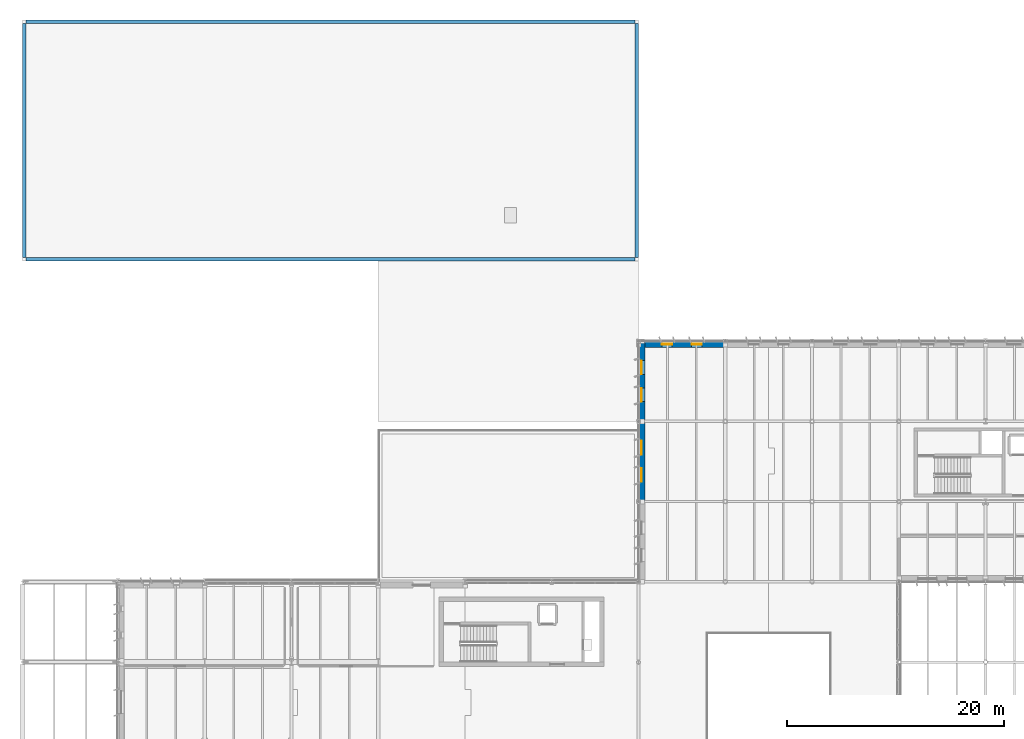
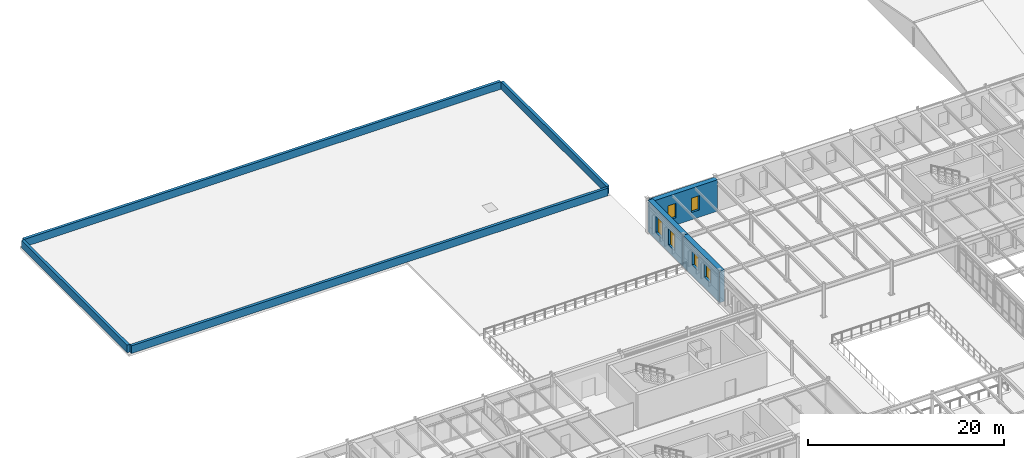
# One storey, part 43 of 63: 7 walls, 6 windows, 6 openings.
"""IFC4 building model written with IfcOpenShell, lengths in metres."""

from ifc_helpers import new_model, si_unit, direction, frame, frame_2d, origin, place, context, subcontext, project, spatial, rectangle, extrude, material, layer, layer_set, type_object, element, fill, save


model = new_model("IFC4")

# Units and contexts
model_context = context("Model", 3, precision=1e-05, world=origin(), true_north=direction((0.0, 1.0)))
body_context = subcontext(model_context, "Body", "Model", "MODEL_VIEW")
ifc_project = project(units=[si_unit("LENGTHUNIT", "METRE"), si_unit("AREAUNIT", "SQUARE_METRE"), si_unit("VOLUMEUNIT", "CUBIC_METRE"), si_unit("PLANEANGLEUNIT", "RADIAN"), si_unit("MASSUNIT", "GRAM", prefix="KILO")], contexts=[model_context])

# Site, building, storey
site_placement = place(None, origin())
site = spatial("IfcSite", under=ifc_project, at=site_placement, CompositionType="ELEMENT")
building_placement = place(site_placement, origin())
building = spatial("IfcBuilding", under=site, at=building_placement, Name="Valkorina Park Police Headquarters", CompositionType="ELEMENT")
storey_placement = place(building_placement, frame((0.0, 0.0, 9.89990234375)))
storey = spatial("IfcBuildingStorey", under=building, at=storey_placement, Name="L03", CompositionType="ELEMENT", Elevation=9.89990234375)

# Wall, openings, windows
ifc_material_1 = material(Name="Concrete C35/45", Category="concrete")
ifc_layer_1 = layer(ifc_material_1, 0.580078125)
ifc_layer_set_1 = layer_set([ifc_layer_1], Name="Concrete C35/45")
wall_type_1 = type_object("IfcWallType", Name="WL-EXT-BOARD-580", PredefinedType="STANDARD", material=ifc_layer_set_1)
wall_1_placement = place(storey_placement, frame((57.090087890625, 66.60009765625, 0.0), z_axis=(0.0, 0.0, 1.0), x_axis=(0.0, 1.0, 0.0)))
wall_1 = element("IfcWall", 1, at=wall_1_placement, inside=storey, type_object=wall_type_1, Name="L03 Architectural Concrete Exterior Wall 0189", PredefinedType="STANDARD", context=body_context, shape_type="SweptSolid", body=[
    extrude(rectangle(XDim=7.39990234375, YDim=0.580078125, at=frame_2d((3.699951171875, 0.0))), origin(), (0.0, 0.0, 1.0), 3.920166015625),
])
opening_1_placement = place(wall_1_placement, frame((1.810546875, 0.0, 1.35009765625)))
opening_1 = element("IfcOpeningElement", 2, at=opening_1_placement, cuts=wall_1, Name="Opening WN-21", PredefinedType="OPENING", context=body_context, shape_type="SweptSolid", body=[
    extrude(rectangle(XDim=1.25, YDim=1.64990234375, at=frame_2d((0.625, 0.824951171875))), frame((0.0, 0.300048828125, 0.0), z_axis=(0.0, -1.0, 0.0), x_axis=(1.0, 0.0, 0.0)), (0.0, 0.0, 1.0), 0.60009765625),
])
opening_2_placement = place(wall_1_placement, frame((4.33935546875, 0.0, 1.35009765625)))
opening_2 = element("IfcOpeningElement", 3, at=opening_2_placement, cuts=wall_1, Name="Opening WN-21", PredefinedType="OPENING", context=body_context, shape_type="SweptSolid", body=[
    extrude(rectangle(XDim=1.25, YDim=1.64990234375, at=frame_2d((0.625, 0.824951171875))), frame((0.0, 0.300048828125, 0.0), z_axis=(0.0, -1.0, 0.0), x_axis=(1.0, 0.0, 0.0)), (0.0, 0.0, 1.0), 0.60009765625),
])
ifc_material_2 = material(Name="Triple low-E insulated glazing", Category="glass")
ifc_layer_2 = layer(ifc_material_2, 0.06005859375)
ifc_layer_set_2 = layer_set([ifc_layer_2], Name="Triple low-E insulated glazing")
window_type_1 = type_object("IfcWindowType", Name="WN-LAB-1250x1650", PartitioningType="SINGLE_PANEL", PredefinedType="WINDOW", material=ifc_layer_set_2)
window_1_placement = place(opening_1_placement, origin())
window_1 = element("IfcWindow", 4, at=window_1_placement, inside=storey, type_object=window_type_1, Name="Window L03-0313", OverallHeight=1.64990234375, OverallWidth=1.25, PartitioningType="SINGLE_PANEL", PredefinedType="WINDOW", context=body_context, shape_type="SweptSolid", body=[
    extrude(rectangle(XDim=1.25, YDim=1.64990234375, at=frame_2d((0.625, 0.824951171875))), frame((0.0, 0.030029296875, 0.0), z_axis=(0.0, -1.0, 0.0), x_axis=(1.0, 0.0, 0.0)), (0.0, 0.0, 1.0), 0.06005859375),
])
fill(opening_1, window_1)
window_2_placement = place(opening_2_placement, origin())
window_2 = element("IfcWindow", 5, at=window_2_placement, inside=storey, type_object=window_type_1, Name="Window L03-0314", OverallHeight=1.64990234375, OverallWidth=1.25, PartitioningType="SINGLE_PANEL", PredefinedType="WINDOW", context=body_context, shape_type="SweptSolid", body=[
    extrude(rectangle(XDim=1.25, YDim=1.64990234375, at=frame_2d((0.625, 0.824951171875))), frame((0.0, 0.030029296875, 0.0), z_axis=(0.0, -1.0, 0.0), x_axis=(1.0, 0.0, 0.0)), (0.0, 0.0, 1.0), 0.06005859375),
])
fill(opening_2, window_2)

wall_2_placement = place(storey_placement, frame((57.090087890625, 74.0, 0.0), z_axis=(0.0, 0.0, 1.0), x_axis=(0.0, 1.0, 0.0)))
wall_2 = element("IfcWall", 6, at=wall_2_placement, inside=storey, type_object=wall_type_1, Name="L03 Architectural Concrete Exterior Wall 0190", PredefinedType="STANDARD", context=body_context, shape_type="SweptSolid", body=[
    extrude(rectangle(XDim=7.212158203125, YDim=0.580078125, at=frame_2d((3.60595703125, 0.0))), origin(), (0.0, 0.0, 1.0), 3.920166015625),
])
opening_3_placement = place(wall_2_placement, frame((1.810546875, 0.0, 0.89990234375)))
opening_3 = element("IfcOpeningElement", 7, at=opening_3_placement, cuts=wall_2, Name="Opening WN-22", PredefinedType="OPENING", context=body_context, shape_type="SweptSolid", body=[
    extrude(rectangle(XDim=1.25, YDim=2.050048828125, at=frame_2d((0.625, 1.02490234375))), frame((0.0, 0.300048828125, 0.0), z_axis=(0.0, -1.0, 0.0), x_axis=(1.0, 0.0, 0.0)), (0.0, 0.0, 1.0), 0.60009765625),
])
opening_4_placement = place(wall_2_placement, frame((4.33935546875, 0.0, 0.89990234375)))
opening_4 = element("IfcOpeningElement", 8, at=opening_4_placement, cuts=wall_2, Name="Opening WN-22", PredefinedType="OPENING", context=body_context, shape_type="SweptSolid", body=[
    extrude(rectangle(XDim=1.25, YDim=2.050048828125, at=frame_2d((0.625, 1.02490234375))), frame((0.0, 0.300048828125, 0.0), z_axis=(0.0, -1.0, 0.0), x_axis=(1.0, 0.0, 0.0)), (0.0, 0.0, 1.0), 0.60009765625),
])
ifc_layer_3 = layer(ifc_material_2, 0.06005859375)
ifc_layer_set_3 = layer_set([ifc_layer_3], Name="Triple low-E insulated glazing")
window_type_2 = type_object("IfcWindowType", Name="WN-LAB-1250x2050", PartitioningType="SINGLE_PANEL", PredefinedType="WINDOW", material=ifc_layer_set_3)
window_3_placement = place(opening_3_placement, origin())
window_3 = element("IfcWindow", 9, at=window_3_placement, inside=storey, type_object=window_type_2, Name="Window L03-0315", OverallHeight=2.050048828125, OverallWidth=1.25, PartitioningType="SINGLE_PANEL", PredefinedType="WINDOW", context=body_context, shape_type="SweptSolid", body=[
    extrude(rectangle(XDim=1.25, YDim=2.050048828125, at=frame_2d((0.625, 1.02490234375))), frame((0.0, 0.030029296875, 0.0), z_axis=(0.0, -1.0, 0.0), x_axis=(1.0, 0.0, 0.0)), (0.0, 0.0, 1.0), 0.06005859375),
])
fill(opening_3, window_3)
window_4_placement = place(opening_4_placement, origin())
window_4 = element("IfcWindow", 10, at=window_4_placement, inside=storey, type_object=window_type_2, Name="Window L03-0316", OverallHeight=2.050048828125, OverallWidth=1.25, PartitioningType="SINGLE_PANEL", PredefinedType="WINDOW", context=body_context, shape_type="SweptSolid", body=[
    extrude(rectangle(XDim=1.25, YDim=2.050048828125, at=frame_2d((0.625, 1.02490234375))), frame((0.0, 0.030029296875, 0.0), z_axis=(0.0, -1.0, 0.0), x_axis=(1.0, 0.0, 0.0)), (0.0, 0.0, 1.0), 0.06005859375),
])
fill(opening_4, window_4)

wall_3_placement = place(storey_placement, frame((56.98779296875, 81.110107421875, 0.0), z_axis=(0.0, 0.0, 1.0), x_axis=(1.0, 0.0, 0.0)))
wall_3 = element("IfcWall", 11, at=wall_3_placement, inside=storey, type_object=wall_type_1, Name="L03 Architectural Concrete Exterior Wall 0191", PredefinedType="STANDARD", context=body_context, shape_type="SweptSolid", body=[
    extrude(rectangle(XDim=7.812255859375, YDim=0.580078125, at=frame_2d((3.90625, 0.0))), origin(), (0.0, 0.0, 1.0), 3.920166015625),
])
opening_5_placement = place(wall_3_placement, frame((1.96484375, 0.0, 0.89990234375)))
opening_5 = element("IfcOpeningElement", 12, at=opening_5_placement, cuts=wall_3, Name="Opening WN-17", PredefinedType="OPENING", context=body_context, shape_type="SweptSolid", body=[
    extrude(rectangle(XDim=0.949951171875, YDim=1.800048828125, at=frame_2d((0.47509765625, 0.89990234375))), frame((0.0, 0.300048828125, 0.0), z_axis=(0.0, -1.0, 0.0), x_axis=(1.0, 0.0, 0.0)), (0.0, 0.0, 1.0), 0.60009765625),
])
opening_6_placement = place(wall_3_placement, frame((4.709716796875, 0.0, 0.89990234375)))
opening_6 = element("IfcOpeningElement", 13, at=opening_6_placement, cuts=wall_3, Name="Opening WN-17", PredefinedType="OPENING", context=body_context, shape_type="SweptSolid", body=[
    extrude(rectangle(XDim=0.949951171875, YDim=1.800048828125, at=frame_2d((0.47509765625, 0.89990234375))), frame((0.0, 0.300048828125, 0.0), z_axis=(0.0, -1.0, 0.0), x_axis=(1.0, 0.0, 0.0)), (0.0, 0.0, 1.0), 0.60009765625),
])
ifc_layer_4 = layer(ifc_material_2, 0.06005859375)
ifc_layer_set_4 = layer_set([ifc_layer_4], Name="Triple low-E insulated glazing")
window_type_3 = type_object("IfcWindowType", Name="WN-SLOT-950x1800", PartitioningType="SINGLE_PANEL", PredefinedType="WINDOW", material=ifc_layer_set_4)
window_5_placement = place(opening_5_placement, origin())
window_5 = element("IfcWindow", 14, at=window_5_placement, inside=storey, type_object=window_type_3, Name="Window L03-0317", OverallHeight=1.800048828125, OverallWidth=0.949951171875, PartitioningType="SINGLE_PANEL", PredefinedType="WINDOW", context=body_context, shape_type="SweptSolid", body=[
    extrude(rectangle(XDim=0.949951171875, YDim=1.800048828125, at=frame_2d((0.47509765625, 0.89990234375))), frame((0.0, 0.030029296875, 0.0), z_axis=(0.0, -1.0, 0.0), x_axis=(1.0, 0.0, 0.0)), (0.0, 0.0, 1.0), 0.06005859375),
])
fill(opening_5, window_5)
window_6_placement = place(opening_6_placement, origin())
window_6 = element("IfcWindow", 15, at=window_6_placement, inside=storey, type_object=window_type_3, Name="Window L03-0318", OverallHeight=1.800048828125, OverallWidth=0.949951171875, PartitioningType="SINGLE_PANEL", PredefinedType="WINDOW", context=body_context, shape_type="SweptSolid", body=[
    extrude(rectangle(XDim=0.949951171875, YDim=1.800048828125, at=frame_2d((0.47509765625, 0.89990234375))), frame((0.0, 0.030029296875, 0.0), z_axis=(0.0, -1.0, 0.0), x_axis=(1.0, 0.0, 0.0)), (0.0, 0.0, 1.0), 0.06005859375),
])
fill(opening_6, window_6)

# Walls
ifc_material_3 = material(Name="Precast concrete C40/50", Category="concrete")
ifc_layer_5 = layer(ifc_material_3, 0.320068359375)
ifc_layer_set_5 = layer_set([ifc_layer_5], Name="Precast concrete C40/50")
wall_type_2 = type_object("IfcWallType", Name="WL-PARAPET-320", PredefinedType="PARAPET", material=ifc_layer_set_5)
wall_4_placement = place(storey_placement, frame((56.47998046875, 88.9599609375, 0.0), z_axis=(0.0, 0.0, 1.0), x_axis=(-1.0, 0.0, 0.0)))
element("IfcWall", 16, at=wall_4_placement, inside=storey, type_object=wall_type_2, Name="L03 Precast Roof Parapet 1", PredefinedType="PARAPET", context=body_context, shape_type="SweptSolid", body=[
    extrude(rectangle(XDim=56.159912109375, YDim=0.320068359375, at=frame_2d((28.080078125, 0.0))), origin(), (0.0, 0.0, 1.0), 0.9501953125),
])
wall_5_placement = place(storey_placement, frame((0.159912109375, 89.1201171875, 0.0), z_axis=(0.0, 0.0, 1.0), x_axis=(0.0, 1.0, 0.0)))
element("IfcWall", 17, at=wall_5_placement, inside=storey, type_object=wall_type_2, Name="L03 Precast Roof Parapet 2", PredefinedType="PARAPET", context=body_context, shape_type="SweptSolid", body=[
    extrude(rectangle(XDim=21.559814453125, YDim=0.320068359375, at=frame_2d((10.77978515625, 0.0))), origin(), (0.0, 0.0, 1.0), 0.9501953125),
])
wall_6_placement = place(storey_placement, frame((0.320068359375, 110.840087890625, 0.0), z_axis=(0.0, 0.0, 1.0), x_axis=(1.0, 0.0, 0.0)))
element("IfcWall", 18, at=wall_6_placement, inside=storey, type_object=wall_type_2, Name="L03 Precast Roof Parapet 3", PredefinedType="PARAPET", context=body_context, shape_type="SweptSolid", body=[
    extrude(rectangle(XDim=56.159912109375, YDim=0.320068359375, at=frame_2d((28.080078125, 0.0))), origin(), (0.0, 0.0, 1.0), 0.9501953125),
])
wall_7_placement = place(storey_placement, frame((56.639892578125, 110.679931640625, 0.0), z_axis=(0.0, 0.0, 1.0), x_axis=(0.0, -1.0, 0.0)))
element("IfcWall", 19, at=wall_7_placement, inside=storey, type_object=wall_type_2, Name="L03 Precast Roof Parapet 4", PredefinedType="PARAPET", context=body_context, shape_type="SweptSolid", body=[
    extrude(rectangle(XDim=21.559814453125, YDim=0.320068359375, at=frame_2d((10.77978515625, 0.0))), origin(), (0.0, 0.0, 1.0), 0.9501953125),
])

save(model, "model.ifc")
